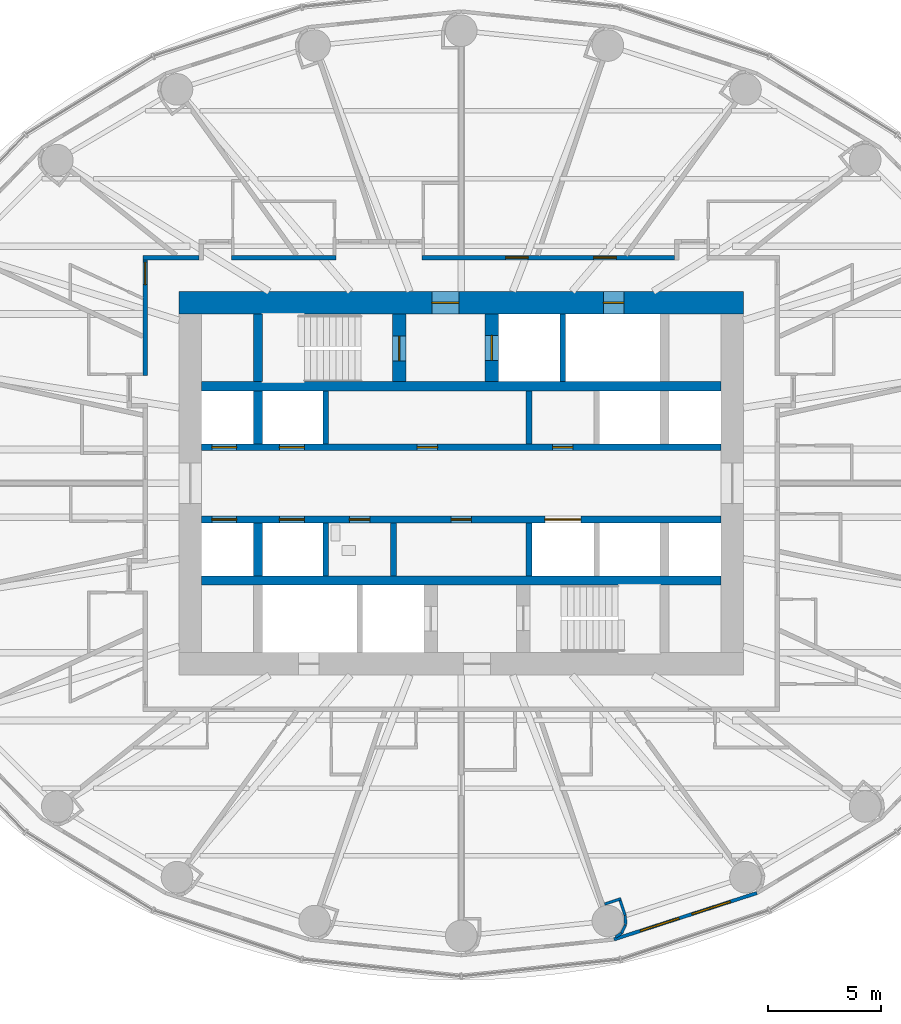
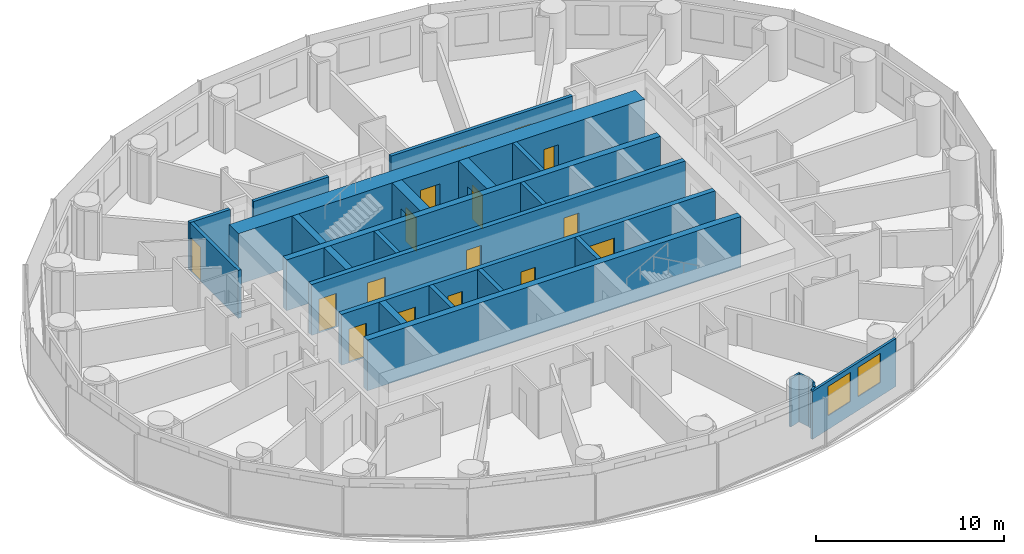
# One storey, part 9 of 16: 26 walls, 16 doors, 2 windows, 18 openings.
"""IFC4 building model written with IfcOpenShell, lengths in metres."""

from ifc_helpers import new_model, si_unit, direction, frame, frame_2d, origin, place, context, subcontext, project, spatial, rectangle, extrude, material, layer, layer_set, type_object, element, fill, save


model = new_model("IFC4")

# Units and contexts
model_context = context("Model", 3, precision=1e-05, world=origin(), true_north=direction((0.0, 1.0)))
body_context = subcontext(model_context, "Body", "Model", "MODEL_VIEW")
ifc_project = project(units=[si_unit("LENGTHUNIT", "METRE"), si_unit("AREAUNIT", "SQUARE_METRE"), si_unit("VOLUMEUNIT", "CUBIC_METRE"), si_unit("PLANEANGLEUNIT", "RADIAN"), si_unit("MASSUNIT", "GRAM", prefix="KILO")], contexts=[model_context])

# Site, building, storey
site_placement = place(None, origin())
site = spatial("IfcSite", under=ifc_project, at=site_placement, CompositionType="ELEMENT")
building_placement = place(site_placement, origin())
building = spatial("IfcBuilding", under=site, at=building_placement, Name="Hankou Lantern Tower", CompositionType="ELEMENT")
storey_placement = place(building_placement, frame((0.0, 0.0, 73.800048828125)))
storey = spatial("IfcBuildingStorey", under=building, at=storey_placement, Name="L18", CompositionType="ELEMENT", Elevation=73.800048828125)

# Wall, openings, doors
ifc_material_1 = material(Name="Concrete C60", Category="concrete")
ifc_layer_1 = layer(ifc_material_1, 1.0)
ifc_layer_set_1 = layer_set([ifc_layer_1], Name="Concrete C60")
wall_type_1 = type_object("IfcWallType", Name="CW1 CORE WALL 1000", PredefinedType="SHEAR", material=ifc_layer_set_1)
wall_1_placement = place(storey_placement, frame((-12.5, 8.0, 0.0), z_axis=(0.0, 0.0, 1.0), x_axis=(1.0, 0.0, 0.0)))
wall_1 = element("IfcWall", 1, at=wall_1_placement, inside=storey, type_object=wall_type_1, Name="Core wall north L18", PredefinedType="SHEAR", context=body_context, shape_type="SweptSolid", body=[
    extrude(rectangle(XDim=25.0, YDim=1.0, at=frame_2d((12.5, 0.0))), origin(), (0.0, 0.0, 1.0), 3.300048828125),
])
opening_1_placement = place(wall_1_placement, frame((11.199951171875, 0.0, 0.0)))
opening_1 = element("IfcOpeningElement", 2, at=opening_1_placement, cuts=wall_1, Name="Opening D5", PredefinedType="OPENING", context=body_context, shape_type="SweptSolid", body=[
    extrude(rectangle(XDim=1.199951171875, YDim=2.199951171875, at=frame_2d((0.60009765625, 1.10009765625))), frame((0.0, 0.510009765625, 0.0), z_axis=(0.0, -1.0, 0.0), x_axis=(1.0, 0.0, 0.0)), (0.0, 0.0, 1.0), 1.02001953125),
])
opening_2_placement = place(wall_1_placement, frame((18.800048828125, 0.0, 0.0)))
opening_2 = element("IfcOpeningElement", 3, at=opening_2_placement, cuts=wall_1, Name="Opening D7", PredefinedType="OPENING", context=body_context, shape_type="SweptSolid", body=[
    extrude(rectangle(XDim=0.89990234375, YDim=2.199951171875, at=frame_2d((0.449951171875, 1.10009765625))), frame((0.0, 0.510009765625, 0.0), z_axis=(0.0, -1.0, 0.0), x_axis=(1.0, 0.0, 0.0)), (0.0, 0.0, 1.0), 1.02001953125),
])
ifc_material_2 = material(Name="Steel door leaf", Category="steel")
door_type_1 = type_object("IfcDoorType", Name="D5 STAIR LOBBY DOOR 1200X2200", OperationType="SINGLE_SWING_LEFT", PredefinedType="DOOR", material=ifc_material_2)
door_1_placement = place(opening_1_placement, origin())
door_1 = element("IfcDoor", 4, at=door_1_placement, inside=storey, type_object=door_type_1, Name="Stair A lobby door", OperationType="SINGLE_SWING_LEFT", OverallHeight=2.199951171875, OverallWidth=1.199951171875, PredefinedType="DOOR", context=body_context, shape_type="SweptSolid", body=[
    extrude(rectangle(XDim=1.199951171875, YDim=2.199951171875, at=frame_2d((0.60009765625, 1.10009765625))), frame((0.0, 0.02490234375, 0.0), z_axis=(0.0, -1.0, 0.0), x_axis=(1.0, 0.0, 0.0)), (0.0, 0.0, 1.0), 0.050048828125),
])
fill(opening_1, door_1)
ifc_material_3 = material(Name="Steel door leaf", Category="steel")
door_type_2 = type_object("IfcDoorType", Name="D7 RISER DOOR 900X2200", OperationType="SINGLE_SWING_LEFT", PredefinedType="DOOR", material=ifc_material_3)
door_2_placement = place(opening_2_placement, origin())
door_2 = element("IfcDoor", 5, at=door_2_placement, inside=storey, type_object=door_type_2, Name="Riser N1 door", OperationType="SINGLE_SWING_RIGHT", OverallHeight=2.199951171875, OverallWidth=0.89990234375, PredefinedType="DOOR", context=body_context, shape_type="SweptSolid", body=[
    extrude(rectangle(XDim=0.89990234375, YDim=2.199951171875, at=frame_2d((0.449951171875, 1.10009765625))), frame((0.0, 0.02490234375, 0.0), z_axis=(0.0, -1.0, 0.0), x_axis=(1.0, 0.0, 0.0)), (0.0, 0.0, 1.0), 0.050048828125),
])
fill(opening_2, door_2)

# Walls
ifc_material_4 = material(Name="Concrete C60", Category="concrete")
ifc_layer_2 = layer(ifc_material_4, 0.39990234375)
ifc_layer_set_2 = layer_set([ifc_layer_2], Name="Concrete C60")
wall_type_2 = type_object("IfcWallType", Name="CW4 CORE CROSS WALL 400", PredefinedType="SHEAR", material=ifc_layer_set_2)
for number, where, z_axis, x_axis, name in (
    (6, (-11.5, 4.300048828125, 0.0), (0.0, 0.0, 1.0), (1.0, 0.0, 0.0), "Core band wall north L18"),
    (7, (-11.5, -4.300048828125, 0.0), (0.0, 0.0, 1.0), (1.0, 0.0, 0.0), "Core band wall south L18"),
):
    element("IfcWall", number, at=place(storey_placement, frame(where, z_axis=z_axis, x_axis=x_axis)), inside=storey, type_object=wall_type_2, Name=name, PredefinedType="SHEAR", context=body_context, shape_type="SweptSolid", body=[
        extrude(rectangle(XDim=23.0, YDim=0.39990234375, at=frame_2d((11.5, 0.0))), origin(), (0.0, 0.0, 1.0), 3.300048828125),
    ])
wall_2_placement = place(storey_placement, frame((-9.0, 4.5, 0.0), z_axis=(0.0, 0.0, 1.0), x_axis=(0.0, 1.0, 0.0)))
element("IfcWall", 8, at=wall_2_placement, inside=storey, type_object=wall_type_2, Name="Core strip wall L18", PredefinedType="SHEAR", context=body_context, shape_type="SweptSolid", body=[
    extrude(rectangle(XDim=3.0, YDim=0.39990234375, at=frame_2d((1.5, 0.0))), origin(), (0.0, 0.0, 1.0), 3.300048828125),
])
for number, where, z_axis, x_axis, name in (
    (9, (-9.0, 1.75, 0.0), (0.0, 0.0, 1.0), (0.0, 1.0, 0.0), "Core strip wall L18"),
    (10, (-9.0, -4.10009765625, 0.0), (0.0, 0.0, 1.0), (0.0, 1.0, 0.0), "Core strip wall L18"),
):
    element("IfcWall", number, at=place(storey_placement, frame(where, z_axis=z_axis, x_axis=x_axis)), inside=storey, type_object=wall_type_2, Name=name, PredefinedType="SHEAR", context=body_context, shape_type="SweptSolid", body=[
        extrude(rectangle(XDim=2.35009765625, YDim=0.39990234375, at=frame_2d((1.175048828125, 0.0))), origin(), (0.0, 0.0, 1.0), 3.300048828125),
    ])

# Wall, openings, doors
ifc_material_5 = material(Name="Concrete C60", Category="concrete")
ifc_layer_3 = layer(ifc_material_5, 0.300048828125)
ifc_layer_set_3 = layer_set([ifc_layer_3], Name="Concrete C60")
wall_type_3 = type_object("IfcWallType", Name="CW5 LIFT LOBBY WALL 300", PredefinedType="SHEAR", material=ifc_layer_set_3)
wall_3_placement = place(storey_placement, frame((-11.5, 1.60009765625, 0.0), z_axis=(0.0, 0.0, 1.0), x_axis=(1.0, 0.0, 0.0)))
wall_3 = element("IfcWall", 11, at=wall_3_placement, inside=storey, type_object=wall_type_3, Name="Lift lobby wall north L18", PredefinedType="SHEAR", context=body_context, shape_type="SweptSolid", body=[
    extrude(rectangle(XDim=23.0, YDim=0.300048828125, at=frame_2d((11.5, 0.0))), origin(), (0.0, 0.0, 1.0), 3.300048828125),
])
opening_3_placement = place(wall_3_placement, frame((0.449951171875, 0.0, 0.0)))
opening_3 = element("IfcOpeningElement", 12, at=opening_3_placement, cuts=wall_3, Name="Opening LD1", PredefinedType="OPENING", context=body_context, shape_type="SweptSolid", body=[
    extrude(rectangle(XDim=1.10009765625, YDim=2.199951171875, at=frame_2d((0.550048828125, 1.10009765625))), frame((0.0, 0.159912109375, 0.0), z_axis=(0.0, -1.0, 0.0), x_axis=(1.0, 0.0, 0.0)), (0.0, 0.0, 1.0), 0.320068359375),
])
opening_4_placement = place(wall_3_placement, frame((3.449951171875, 0.0, 0.0)))
opening_4 = element("IfcOpeningElement", 13, at=opening_4_placement, cuts=wall_3, Name="Opening LD1", PredefinedType="OPENING", context=body_context, shape_type="SweptSolid", body=[
    extrude(rectangle(XDim=1.10009765625, YDim=2.199951171875, at=frame_2d((0.550048828125, 1.10009765625))), frame((0.0, 0.159912109375, 0.0), z_axis=(0.0, -1.0, 0.0), x_axis=(1.0, 0.0, 0.0)), (0.0, 0.0, 1.0), 0.320068359375),
])
opening_5_placement = place(wall_3_placement, frame((9.550048828125, 0.0, 0.0)))
opening_5 = element("IfcOpeningElement", 14, at=opening_5_placement, cuts=wall_3, Name="Opening D30", PredefinedType="OPENING", context=body_context, shape_type="SweptSolid", body=[
    extrude(rectangle(XDim=0.89990234375, YDim=2.199951171875, at=frame_2d((0.449951171875, 1.10009765625))), frame((0.0, 0.159912109375, 0.0), z_axis=(0.0, -1.0, 0.0), x_axis=(1.0, 0.0, 0.0)), (0.0, 0.0, 1.0), 0.320068359375),
])
opening_6_placement = place(wall_3_placement, frame((15.550048828125, 0.0, 0.0)))
opening_6 = element("IfcOpeningElement", 15, at=opening_6_placement, cuts=wall_3, Name="Opening D30", PredefinedType="OPENING", context=body_context, shape_type="SweptSolid", body=[
    extrude(rectangle(XDim=0.89990234375, YDim=2.199951171875, at=frame_2d((0.449951171875, 1.10009765625))), frame((0.0, 0.159912109375, 0.0), z_axis=(0.0, -1.0, 0.0), x_axis=(1.0, 0.0, 0.0)), (0.0, 0.0, 1.0), 0.320068359375),
])
ifc_material_6 = material(Name="Steel door leaf", Category="steel")
door_type_3 = type_object("IfcDoorType", Name="D30 CORE ROOM DOOR 900X2200", OperationType="SINGLE_SWING_LEFT", PredefinedType="DOOR", material=ifc_material_6)
door_3_placement = place(opening_5_placement, origin())
door_3 = element("IfcDoor", 16, at=door_3_placement, inside=storey, type_object=door_type_3, Name="Vending room door", OperationType="SINGLE_SWING_LEFT", OverallHeight=2.199951171875, OverallWidth=0.89990234375, PredefinedType="DOOR", context=body_context, shape_type="SweptSolid", body=[
    extrude(rectangle(XDim=0.89990234375, YDim=2.199951171875, at=frame_2d((0.449951171875, 1.10009765625))), frame((0.0, 0.02490234375, 0.0), z_axis=(0.0, -1.0, 0.0), x_axis=(1.0, 0.0, 0.0)), (0.0, 0.0, 1.0), 0.050048828125),
])
fill(opening_5, door_3)
door_4_placement = place(opening_6_placement, origin())
door_4 = element("IfcDoor", 17, at=door_4_placement, inside=storey, type_object=door_type_3, Name="Room service pantry door", OperationType="SINGLE_SWING_RIGHT", OverallHeight=2.199951171875, OverallWidth=0.89990234375, PredefinedType="DOOR", context=body_context, shape_type="SweptSolid", body=[
    extrude(rectangle(XDim=0.89990234375, YDim=2.199951171875, at=frame_2d((0.449951171875, 1.10009765625))), frame((0.0, 0.02490234375, 0.0), z_axis=(0.0, -1.0, 0.0), x_axis=(1.0, 0.0, 0.0)), (0.0, 0.0, 1.0), 0.050048828125),
])
fill(opening_6, door_4)
ifc_material_7 = material(Name="Steel door leaf", Category="steel")
door_type_4 = type_object("IfcDoorType", Name="LD1 LIFT LANDING DOOR 1100X2200", OperationType="DOUBLE_DOOR_SLIDING", PredefinedType="DOOR", material=ifc_material_7)
door_5_placement = place(opening_3_placement, origin())
door_5 = element("IfcDoor", 18, at=door_5_placement, inside=storey, type_object=door_type_4, Name="Lift L1 landing door", OperationType="DOUBLE_DOOR_SLIDING", OverallHeight=2.199951171875, OverallWidth=1.10009765625, PredefinedType="DOOR", context=body_context, shape_type="SweptSolid", body=[
    extrude(rectangle(XDim=1.10009765625, YDim=2.199951171875, at=frame_2d((0.550048828125, 1.10009765625))), frame((0.0, 0.02490234375, 0.0), z_axis=(0.0, -1.0, 0.0), x_axis=(1.0, 0.0, 0.0)), (0.0, 0.0, 1.0), 0.050048828125),
])
fill(opening_3, door_5)
door_6_placement = place(opening_4_placement, origin())
door_6 = element("IfcDoor", 19, at=door_6_placement, inside=storey, type_object=door_type_4, Name="Lift L2 landing door", OperationType="DOUBLE_DOOR_SLIDING", OverallHeight=2.199951171875, OverallWidth=1.10009765625, PredefinedType="DOOR", context=body_context, shape_type="SweptSolid", body=[
    extrude(rectangle(XDim=1.10009765625, YDim=2.199951171875, at=frame_2d((0.550048828125, 1.10009765625))), frame((0.0, 0.02490234375, 0.0), z_axis=(0.0, -1.0, 0.0), x_axis=(1.0, 0.0, 0.0)), (0.0, 0.0, 1.0), 0.050048828125),
])
fill(opening_4, door_6)

wall_4_placement = place(storey_placement, frame((-11.5, -1.60009765625, 0.0), z_axis=(0.0, 0.0, 1.0), x_axis=(1.0, 0.0, 0.0)))
wall_4 = element("IfcWall", 20, at=wall_4_placement, inside=storey, type_object=wall_type_3, Name="Lift lobby wall south L18", PredefinedType="SHEAR", context=body_context, shape_type="SweptSolid", body=[
    extrude(rectangle(XDim=23.0, YDim=0.300048828125, at=frame_2d((11.5, 0.0))), origin(), (0.0, 0.0, 1.0), 3.300048828125),
])
opening_7_placement = place(wall_4_placement, frame((0.449951171875, 0.0, 0.0)))
opening_7 = element("IfcOpeningElement", 21, at=opening_7_placement, cuts=wall_4, Name="Opening LD1", PredefinedType="OPENING", context=body_context, shape_type="SweptSolid", body=[
    extrude(rectangle(XDim=1.10009765625, YDim=2.199951171875, at=frame_2d((0.550048828125, 1.10009765625))), frame((0.0, 0.159912109375, 0.0), z_axis=(0.0, -1.0, 0.0), x_axis=(1.0, 0.0, 0.0)), (0.0, 0.0, 1.0), 0.320068359375),
])
opening_8_placement = place(wall_4_placement, frame((3.449951171875, 0.0, 0.0)))
opening_8 = element("IfcOpeningElement", 22, at=opening_8_placement, cuts=wall_4, Name="Opening LD1", PredefinedType="OPENING", context=body_context, shape_type="SweptSolid", body=[
    extrude(rectangle(XDim=1.10009765625, YDim=2.199951171875, at=frame_2d((0.550048828125, 1.10009765625))), frame((0.0, 0.159912109375, 0.0), z_axis=(0.0, -1.0, 0.0), x_axis=(1.0, 0.0, 0.0)), (0.0, 0.0, 1.0), 0.320068359375),
])
opening_9_placement = place(wall_4_placement, frame((15.199951171875, 0.0, 0.0)))
opening_9 = element("IfcOpeningElement", 23, at=opening_9_placement, cuts=wall_4, Name="Opening LD4", PredefinedType="OPENING", context=body_context, shape_type="SweptSolid", body=[
    extrude(rectangle(XDim=1.60009765625, YDim=2.39990234375, at=frame_2d((0.800048828125, 1.199951171875))), frame((0.0, 0.159912109375, 0.0), z_axis=(0.0, -1.0, 0.0), x_axis=(1.0, 0.0, 0.0)), (0.0, 0.0, 1.0), 0.320068359375),
])
opening_10_placement = place(wall_4_placement, frame((6.550048828125, 0.0, 0.0)))
opening_10 = element("IfcOpeningElement", 24, at=opening_10_placement, cuts=wall_4, Name="Opening D30", PredefinedType="OPENING", context=body_context, shape_type="SweptSolid", body=[
    extrude(rectangle(XDim=0.89990234375, YDim=2.199951171875, at=frame_2d((0.449951171875, 1.10009765625))), frame((0.0, 0.159912109375, 0.0), z_axis=(0.0, -1.0, 0.0), x_axis=(1.0, 0.0, 0.0)), (0.0, 0.0, 1.0), 0.320068359375),
])
opening_11_placement = place(wall_4_placement, frame((11.050048828125, 0.0, 0.0)))
opening_11 = element("IfcOpeningElement", 25, at=opening_11_placement, cuts=wall_4, Name="Opening D30", PredefinedType="OPENING", context=body_context, shape_type="SweptSolid", body=[
    extrude(rectangle(XDim=0.89990234375, YDim=2.199951171875, at=frame_2d((0.449951171875, 1.10009765625))), frame((0.0, 0.159912109375, 0.0), z_axis=(0.0, -1.0, 0.0), x_axis=(1.0, 0.0, 0.0)), (0.0, 0.0, 1.0), 0.320068359375),
])
door_7_placement = place(opening_10_placement, origin())
door_7 = element("IfcDoor", 26, at=door_7_placement, inside=storey, type_object=door_type_3, Name="Accessible staff WC door", OperationType="SINGLE_SWING_LEFT", OverallHeight=2.199951171875, OverallWidth=0.89990234375, PredefinedType="DOOR", context=body_context, shape_type="SweptSolid", body=[
    extrude(rectangle(XDim=0.89990234375, YDim=2.199951171875, at=frame_2d((0.449951171875, 1.10009765625))), frame((0.0, 0.02490234375, 0.0), z_axis=(0.0, -1.0, 0.0), x_axis=(1.0, 0.0, 0.0)), (0.0, 0.0, 1.0), 0.050048828125),
])
fill(opening_10, door_7)
door_8_placement = place(opening_11_placement, origin())
door_8 = element("IfcDoor", 27, at=door_8_placement, inside=storey, type_object=door_type_3, Name="Housekeeping and linen store door", OperationType="SINGLE_SWING_LEFT", OverallHeight=2.199951171875, OverallWidth=0.89990234375, PredefinedType="DOOR", context=body_context, shape_type="SweptSolid", body=[
    extrude(rectangle(XDim=0.89990234375, YDim=2.199951171875, at=frame_2d((0.449951171875, 1.10009765625))), frame((0.0, 0.02490234375, 0.0), z_axis=(0.0, -1.0, 0.0), x_axis=(1.0, 0.0, 0.0)), (0.0, 0.0, 1.0), 0.050048828125),
])
fill(opening_11, door_8)
door_9_placement = place(opening_7_placement, origin())
door_9 = element("IfcDoor", 28, at=door_9_placement, inside=storey, type_object=door_type_4, Name="Lift L3 landing door", OperationType="DOUBLE_DOOR_SLIDING", OverallHeight=2.199951171875, OverallWidth=1.10009765625, PredefinedType="DOOR", context=body_context, shape_type="SweptSolid", body=[
    extrude(rectangle(XDim=1.10009765625, YDim=2.199951171875, at=frame_2d((0.550048828125, 1.10009765625))), frame((0.0, 0.02490234375, 0.0), z_axis=(0.0, -1.0, 0.0), x_axis=(1.0, 0.0, 0.0)), (0.0, 0.0, 1.0), 0.050048828125),
])
fill(opening_7, door_9)
door_10_placement = place(opening_8_placement, origin())
door_10 = element("IfcDoor", 29, at=door_10_placement, inside=storey, type_object=door_type_4, Name="Lift L4 landing door", OperationType="DOUBLE_DOOR_SLIDING", OverallHeight=2.199951171875, OverallWidth=1.10009765625, PredefinedType="DOOR", context=body_context, shape_type="SweptSolid", body=[
    extrude(rectangle(XDim=1.10009765625, YDim=2.199951171875, at=frame_2d((0.550048828125, 1.10009765625))), frame((0.0, 0.02490234375, 0.0), z_axis=(0.0, -1.0, 0.0), x_axis=(1.0, 0.0, 0.0)), (0.0, 0.0, 1.0), 0.050048828125),
])
fill(opening_8, door_10)
ifc_material_8 = material(Name="Steel door leaf", Category="steel")
door_type_5 = type_object("IfcDoorType", Name="LD4 SERVICE LIFT LANDING DOOR 1600X2400", OperationType="DOUBLE_DOOR_SLIDING", PredefinedType="DOOR", material=ifc_material_8)
door_11_placement = place(opening_9_placement, origin())
door_11 = element("IfcDoor", 30, at=door_11_placement, inside=storey, type_object=door_type_5, Name="Lift SV1 landing door", OperationType="DOUBLE_DOOR_SLIDING", OverallHeight=2.39990234375, OverallWidth=1.60009765625, PredefinedType="DOOR", context=body_context, shape_type="SweptSolid", body=[
    extrude(rectangle(XDim=1.60009765625, YDim=2.39990234375, at=frame_2d((0.800048828125, 1.199951171875))), frame((0.0, 0.02490234375, 0.0), z_axis=(0.0, -1.0, 0.0), x_axis=(1.0, 0.0, 0.0)), (0.0, 0.0, 1.0), 0.050048828125),
])
fill(opening_9, door_11)

# Wall, opening, door
ifc_material_9 = material(Name="Concrete C60", Category="concrete")
ifc_layer_4 = layer(ifc_material_9, 0.60009765625)
ifc_layer_set_4 = layer_set([ifc_layer_4], Name="Concrete C60")
wall_type_4 = type_object("IfcWallType", Name="CW6 STAIR AND SHAFT WALL 600", PredefinedType="SHEAR", material=ifc_layer_set_4)
wall_5_placement = place(storey_placement, frame((-2.75, 4.5, 0.0), z_axis=(0.0, 0.0, 1.0), x_axis=(0.0, 1.0, 0.0)))
wall_5 = element("IfcWall", 31, at=wall_5_placement, inside=storey, type_object=wall_type_4, Name="Stair wall L18", PredefinedType="SHEAR", context=body_context, shape_type="SweptSolid", body=[
    extrude(rectangle(XDim=3.0, YDim=0.60009765625, at=frame_2d((1.5, 0.0))), origin(), (0.0, 0.0, 1.0), 3.300048828125),
])
opening_12_placement = place(wall_5_placement, frame((0.925048828125, 0.0, 0.0)))
opening_12 = element("IfcOpeningElement", 32, at=opening_12_placement, cuts=wall_5, Name="Opening D4", PredefinedType="OPENING", context=body_context, shape_type="SweptSolid", body=[
    extrude(rectangle(XDim=1.10009765625, YDim=2.199951171875, at=frame_2d((0.550048828125, 1.10009765625))), frame((0.0, 0.31005859375, 0.0), z_axis=(0.0, -1.0, 0.0), x_axis=(1.0, 0.0, 0.0)), (0.0, 0.0, 1.0), 0.6201171875),
])
ifc_material_10 = material(Name="Steel door leaf", Category="steel")
door_type_6 = type_object("IfcDoorType", Name="D4 STAIR DOOR 1100X2200", OperationType="SINGLE_SWING_LEFT", PredefinedType="DOOR", material=ifc_material_10)
door_12_placement = place(opening_12_placement, origin())
door_12 = element("IfcDoor", 33, at=door_12_placement, inside=storey, type_object=door_type_6, Name="Stair A door", OperationType="SINGLE_SWING_LEFT", OverallHeight=2.199951171875, OverallWidth=1.10009765625, PredefinedType="DOOR", context=body_context, shape_type="SweptSolid", body=[
    extrude(rectangle(XDim=1.10009765625, YDim=2.199951171875, at=frame_2d((0.550048828125, 1.10009765625))), frame((0.0, 0.02490234375, 0.0), z_axis=(0.0, -1.0, 0.0), x_axis=(1.0, 0.0, 0.0)), (0.0, 0.0, 1.0), 0.050048828125),
])
fill(opening_12, door_12)

wall_6_placement = place(storey_placement, frame((1.35009765625, 4.5, 0.0), z_axis=(0.0, 0.0, 1.0), x_axis=(0.0, 1.0, 0.0)))
wall_6 = element("IfcWall", 34, at=wall_6_placement, inside=storey, type_object=wall_type_4, Name="Firefighting lift shaft wall L18", PredefinedType="SHEAR", context=body_context, shape_type="SweptSolid", body=[
    extrude(rectangle(XDim=3.0, YDim=0.60009765625, at=frame_2d((1.5, 0.0))), origin(), (0.0, 0.0, 1.0), 3.300048828125),
])
opening_13_placement = place(wall_6_placement, frame((0.949951171875, 0.0, 0.0)))
opening_13 = element("IfcOpeningElement", 35, at=opening_13_placement, cuts=wall_6, Name="Opening LD2", PredefinedType="OPENING", context=body_context, shape_type="SweptSolid", body=[
    extrude(rectangle(XDim=1.10009765625, YDim=2.199951171875, at=frame_2d((0.550048828125, 1.10009765625))), frame((0.0, 0.31005859375, 0.0), z_axis=(0.0, -1.0, 0.0), x_axis=(1.0, 0.0, 0.0)), (0.0, 0.0, 1.0), 0.6201171875),
])
ifc_material_11 = material(Name="Steel door leaf", Category="steel")
door_type_7 = type_object("IfcDoorType", Name="LD2 FIREFIGHTING LIFT LANDING DOOR 1100X2200", OperationType="DOUBLE_DOOR_SLIDING", PredefinedType="DOOR", material=ifc_material_11)
door_13_placement = place(opening_13_placement, origin())
door_13 = element("IfcDoor", 36, at=door_13_placement, inside=storey, type_object=door_type_7, Name="Firefighting lift FL1 landing door", OperationType="DOUBLE_DOOR_SLIDING", OverallHeight=2.199951171875, OverallWidth=1.10009765625, PredefinedType="DOOR", context=body_context, shape_type="SweptSolid", body=[
    extrude(rectangle(XDim=1.10009765625, YDim=2.199951171875, at=frame_2d((0.550048828125, 1.10009765625))), frame((0.0, 0.02490234375, 0.0), z_axis=(0.0, -1.0, 0.0), x_axis=(1.0, 0.0, 0.0)), (0.0, 0.0, 1.0), 0.050048828125),
])
fill(opening_13, door_13)

# Wall, openings, windows
ifc_material_12 = material(Name="Aluminium spandrel panel on steel studs", Category="steel")
ifc_layer_5 = layer(ifc_material_12, 0.14990234375)
ifc_layer_set_5 = layer_set([ifc_layer_5], Name="Aluminium spandrel panel on steel studs")
wall_type_5 = type_object("IfcWallType", Name="EW1 INNER SKIN WALL 150", PredefinedType="ELEMENTEDWALL", material=ifc_layer_set_5)
wall_7_placement = place(storey_placement, frame((6.766357421875, -20.201904296875, 0.0), z_axis=(0.0, 0.0, 1.0), x_axis=(0.951137534625, 0.308767534285, 0.0)))
wall_7 = element("IfcWall", 37, at=wall_7_placement, inside=storey, type_object=wall_type_5, Name="Inner skin R20-R21 L18", PredefinedType="ELEMENTEDWALL", context=body_context, shape_type="SweptSolid", body=[
    extrude(rectangle(XDim=6.6552734375, YDim=0.14990234375, at=frame_2d((3.32763671875, 0.0))), origin(), (0.0, 0.0, 1.0), 3.119873046875),
])
opening_14_placement = place(wall_7_placement, frame((1.2275390625, 0.0, 0.89990234375)))
opening_14 = element("IfcOpeningElement", 38, at=opening_14_placement, cuts=wall_7, Name="Opening W1", PredefinedType="OPENING", context=body_context, shape_type="SweptSolid", body=[
    extrude(rectangle(XDim=1.800048828125, YDim=1.89990234375, at=frame_2d((0.89990234375, 0.949951171875))), frame((0.0, 0.0849609375, 0.0), z_axis=(0.0, -1.0, 0.0), x_axis=(1.0, 0.0, 0.0)), (0.0, 0.0, 1.0), 0.169921875),
])
opening_15_placement = place(wall_7_placement, frame((3.627685546875, 0.0, 0.89990234375)))
opening_15 = element("IfcOpeningElement", 39, at=opening_15_placement, cuts=wall_7, Name="Opening W1", PredefinedType="OPENING", context=body_context, shape_type="SweptSolid", body=[
    extrude(rectangle(XDim=1.800048828125, YDim=1.89990234375, at=frame_2d((0.89990234375, 0.949951171875))), frame((0.0, 0.0849609375, 0.0), z_axis=(0.0, -1.0, 0.0), x_axis=(1.0, 0.0, 0.0)), (0.0, 0.0, 1.0), 0.169921875),
])
ifc_material_13 = material(Name="Aluminium framed double glazed window", Category="aluminium")
window_type = type_object("IfcWindowType", Name="W1 GUEST ROOM WINDOW 1800X1900", PartitioningType="DOUBLE_PANEL_VERTICAL", PredefinedType="WINDOW", material=ifc_material_13)
window_1_placement = place(opening_14_placement, origin())
window_1 = element("IfcWindow", 40, at=window_1_placement, inside=storey, type_object=window_type, Name="Window R20.1 L18", OverallHeight=1.89990234375, OverallWidth=1.800048828125, PartitioningType="SINGLE_PANEL", PredefinedType="WINDOW", context=body_context, shape_type="SweptSolid", body=[
    extrude(rectangle(XDim=1.800048828125, YDim=1.89990234375, at=frame_2d((0.89990234375, 0.949951171875))), frame((0.0, 0.030029296875, 0.0), z_axis=(0.0, -1.0, 0.0), x_axis=(1.0, 0.0, 0.0)), (0.0, 0.0, 1.0), 0.06005859375),
])
fill(opening_14, window_1)
window_2_placement = place(opening_15_placement, origin())
window_2 = element("IfcWindow", 41, at=window_2_placement, inside=storey, type_object=window_type, Name="Window R20.2 L18", OverallHeight=1.89990234375, OverallWidth=1.800048828125, PartitioningType="SINGLE_PANEL", PredefinedType="WINDOW", context=body_context, shape_type="SweptSolid", body=[
    extrude(rectangle(XDim=1.800048828125, YDim=1.89990234375, at=frame_2d((0.89990234375, 0.949951171875))), frame((0.0, 0.030029296875, 0.0), z_axis=(0.0, -1.0, 0.0), x_axis=(1.0, 0.0, 0.0)), (0.0, 0.0, 1.0), 0.06005859375),
])
fill(opening_15, window_2)

# Walls
ifc_material_14 = material(Name="Masonry lightweight concrete block", Category="masonry")
ifc_layer_6 = layer(ifc_material_14, 0.199951171875)
ifc_layer_set_6 = layer_set([ifc_layer_6], Name="Masonry lightweight concrete block")
wall_type_6 = type_object("IfcWallType", Name="IW2 CORRIDOR WALL 200", PredefinedType="PARTITIONING", material=ifc_layer_set_6)
wall_8_placement = place(storey_placement, frame((-14.10009765625, 10.0, 0.0), z_axis=(0.0, 0.0, 1.0), x_axis=(1.0, 0.0, 0.0)))
element("IfcWall", 42, at=wall_8_placement, inside=storey, type_object=wall_type_6, Name="Corridor wall north", PredefinedType="PARTITIONING", context=body_context, shape_type="SweptSolid", body=[
    extrude(rectangle(XDim=2.48095703125, YDim=0.199951171875, at=frame_2d((1.240478515625, 0.0))), origin(), (0.0, 0.0, 1.0), 3.119873046875),
])
wall_9_placement = place(storey_placement, frame((-10.178955078125, 10.0, 0.0), z_axis=(0.0, 0.0, 1.0), x_axis=(1.0, 0.0, 0.0)))
element("IfcWall", 43, at=wall_9_placement, inside=storey, type_object=wall_type_6, Name="Corridor wall north", PredefinedType="PARTITIONING", context=body_context, shape_type="SweptSolid", body=[
    extrude(rectangle(XDim=4.6298828125, YDim=0.199951171875, at=frame_2d((2.31494140625, 0.0))), origin(), (0.0, 0.0, 1.0), 3.119873046875),
])

# Wall, openings, doors
wall_10_placement = place(storey_placement, frame((-1.739990234375, 10.0, 0.0), z_axis=(0.0, 0.0, 1.0), x_axis=(1.0, 0.0, 0.0)))
wall_10 = element("IfcWall", 44, at=wall_10_placement, inside=storey, type_object=wall_type_6, Name="Corridor wall north", PredefinedType="PARTITIONING", context=body_context, shape_type="SweptSolid", body=[
    extrude(rectangle(XDim=11.18505859375, YDim=0.199951171875, at=frame_2d((5.592529296875, 0.0))), origin(), (0.0, 0.0, 1.0), 3.119873046875),
])
opening_16_placement = place(wall_10_placement, frame((7.609130859375, 0.0, 0.0)))
opening_16 = element("IfcOpeningElement", 45, at=opening_16_placement, cuts=wall_10, Name="Opening D28", PredefinedType="OPENING", context=body_context, shape_type="SweptSolid", body=[
    extrude(rectangle(XDim=1.0, YDim=2.199951171875, at=frame_2d((0.5, 1.10009765625))), frame((0.0, 0.10986328125, 0.0), z_axis=(0.0, -1.0, 0.0), x_axis=(1.0, 0.0, 0.0)), (0.0, 0.0, 1.0), 0.219970703125),
])
opening_17_placement = place(wall_10_placement, frame((3.702880859375, 0.0, 0.0)))
opening_17 = element("IfcOpeningElement", 46, at=opening_17_placement, cuts=wall_10, Name="Opening D28", PredefinedType="OPENING", context=body_context, shape_type="SweptSolid", body=[
    extrude(rectangle(XDim=1.0, YDim=2.199951171875, at=frame_2d((0.5, 1.10009765625))), frame((0.0, 0.10986328125, 0.0), z_axis=(0.0, -1.0, 0.0), x_axis=(1.0, 0.0, 0.0)), (0.0, 0.0, 1.0), 0.219970703125),
])
ifc_material_15 = material(Name="Steel door leaf", Category="steel")
door_type_8 = type_object("IfcDoorType", Name="D28 SERVICE DOOR 1000X2200", OperationType="SINGLE_SWING_LEFT", PredefinedType="DOOR", material=ifc_material_15)
door_14_placement = place(opening_16_placement, origin())
door_14 = element("IfcDoor", 47, at=door_14_placement, inside=storey, type_object=door_type_8, Name="Service door 1810", OperationType="SINGLE_SWING_RIGHT", OverallHeight=2.199951171875, OverallWidth=1.0, PredefinedType="DOOR", context=body_context, shape_type="SweptSolid", body=[
    extrude(rectangle(XDim=1.0, YDim=2.199951171875, at=frame_2d((0.5, 1.10009765625))), frame((0.0, 0.02490234375, 0.0), z_axis=(0.0, -1.0, 0.0), x_axis=(1.0, 0.0, 0.0)), (0.0, 0.0, 1.0), 0.050048828125),
])
fill(opening_16, door_14)
door_15_placement = place(opening_17_placement, origin())
door_15 = element("IfcDoor", 48, at=door_15_placement, inside=storey, type_object=door_type_8, Name="Service door 1811", OperationType="SINGLE_SWING_RIGHT", OverallHeight=2.199951171875, OverallWidth=1.0, PredefinedType="DOOR", context=body_context, shape_type="SweptSolid", body=[
    extrude(rectangle(XDim=1.0, YDim=2.199951171875, at=frame_2d((0.5, 1.10009765625))), frame((0.0, 0.02490234375, 0.0), z_axis=(0.0, -1.0, 0.0), x_axis=(1.0, 0.0, 0.0)), (0.0, 0.0, 1.0), 0.050048828125),
])
fill(opening_17, door_15)

# Wall, opening, door
wall_11_placement = place(storey_placement, frame((-14.0, 9.89990234375, 0.0), z_axis=(0.0, 0.0, 1.0), x_axis=(0.0, -1.0, 0.0)))
wall_11 = element("IfcWall", 49, at=wall_11_placement, inside=storey, type_object=wall_type_6, Name="Corridor wall west", PredefinedType="PARTITIONING", context=body_context, shape_type="SweptSolid", body=[
    extrude(rectangle(XDim=5.12744140625, YDim=0.199951171875, at=frame_2d((2.563720703125, 0.0))), origin(), (0.0, 0.0, 1.0), 3.119873046875),
])
opening_18_placement = place(wall_11_placement, frame((0.1025390625, 0.0, 0.0)))
opening_18 = element("IfcOpeningElement", 50, at=opening_18_placement, cuts=wall_11, Name="Opening D1", PredefinedType="OPENING", context=body_context, shape_type="SweptSolid", body=[
    extrude(rectangle(XDim=1.0, YDim=2.199951171875, at=frame_2d((0.5, 1.10009765625))), frame((0.0, 0.10986328125, 0.0), z_axis=(0.0, -1.0, 0.0), x_axis=(1.0, 0.0, 0.0)), (0.0, 0.0, 1.0), 0.219970703125),
])
ifc_material_16 = material(Name="Steel door leaf", Category="steel")
door_type_9 = type_object("IfcDoorType", Name="D1 GUEST ROOM DOOR 1000X2200", OperationType="SINGLE_SWING_LEFT", PredefinedType="DOOR", material=ifc_material_16)
door_16_placement = place(opening_18_placement, origin())
door_16 = element("IfcDoor", 51, at=door_16_placement, inside=storey, type_object=door_type_9, Name="Guest room door 1815", OperationType="SINGLE_SWING_LEFT", OverallHeight=2.199951171875, OverallWidth=1.0, PredefinedType="DOOR", context=body_context, shape_type="SweptSolid", body=[
    extrude(rectangle(XDim=1.0, YDim=2.199951171875, at=frame_2d((0.5, 1.10009765625))), frame((0.0, 0.02490234375, 0.0), z_axis=(0.0, -1.0, 0.0), x_axis=(1.0, 0.0, 0.0)), (0.0, 0.0, 1.0), 0.050048828125),
])
fill(opening_18, door_16)

# Walls
ifc_material_17 = material(Name="Masonry lightweight concrete block", Category="masonry")
ifc_layer_7 = layer(ifc_material_17, 0.1201171875)
ifc_layer_set_7 = layer_set([ifc_layer_7], Name="Masonry lightweight concrete block")
wall_type_7 = type_object("IfcWallType", Name="IW4 PARTITION 120", PredefinedType="PARTITIONING", material=ifc_layer_set_7)
wall_12_placement = place(storey_placement, frame((6.348388671875, -18.638916015625, 0.0), z_axis=(0.0, 0.0, 1.0), x_axis=(0.948268951266, 0.317468102437, 0.0)))
element("IfcWall", 52, at=wall_12_placement, inside=storey, type_object=wall_type_7, Name="Column casing R20 return", PredefinedType="PARTITIONING", context=body_context, shape_type="SweptSolid", body=[
    extrude(rectangle(XDim=0.767578125, YDim=0.1201171875, at=frame_2d((0.3837890625, 0.0))), origin(), (0.0, 0.0, 1.0), 3.119873046875),
])
wall_13_placement = place(storey_placement, frame((7.038330078125, -18.47119140625, 0.0), z_axis=(0.0, 0.0, 1.0), x_axis=(0.317378466199, -0.9482989556, 0.0)))
element("IfcWall", 53, at=wall_13_placement, inside=storey, type_object=wall_type_7, Name="Column casing R20", PredefinedType="PARTITIONING", context=body_context, shape_type="SweptSolid", body=[
    extrude(rectangle(XDim=0.699951171875, YDim=0.1201171875, at=frame_2d((0.35009765625, 0.0))), origin(), (0.0, 0.0, 1.0), 3.119873046875),
])
wall_14_placement = place(storey_placement, frame((7.260498046875, -19.135009765625, 0.0), z_axis=(0.0, 0.0, 1.0), x_axis=(0.0613238046, -0.99811792439, 0.0)))
element("IfcWall", 54, at=wall_14_placement, inside=storey, type_object=wall_type_7, Name="Column casing R20", PredefinedType="PARTITIONING", context=body_context, shape_type="SweptSolid", body=[
    extrude(rectangle(XDim=0.41796875, YDim=0.1201171875, at=frame_2d((0.208984375, 0.0))), origin(), (0.0, 0.0, 1.0), 3.119873046875),
])
wall_15_placement = place(storey_placement, frame((7.2861328125, -19.55224609375, 0.0), z_axis=(0.0, 0.0, 1.0), x_axis=(-0.445810757773, -0.89512723579, 0.0)))
element("IfcWall", 55, at=wall_15_placement, inside=storey, type_object=wall_type_7, Name="Column casing R20", PredefinedType="PARTITIONING", context=body_context, shape_type="SweptSolid", body=[
    extrude(rectangle(XDim=0.417724609375, YDim=0.1201171875, at=frame_2d((0.208984375, 0.0))), origin(), (0.0, 0.0, 1.0), 3.119873046875),
])
wall_16_placement = place(storey_placement, frame((7.099853515625, -19.92626953125, 0.0), z_axis=(0.0, 0.0, 1.0), x_axis=(-0.833488262509, -0.552537162787, 0.0)))
element("IfcWall", 56, at=wall_16_placement, inside=storey, type_object=wall_type_7, Name="Column casing R20", PredefinedType="PARTITIONING", context=body_context, shape_type="SweptSolid", body=[
    extrude(rectangle(XDim=0.312744140625, YDim=0.1201171875, at=frame_2d((0.15625, 0.0))), origin(), (0.0, 0.0, 1.0), 3.119873046875),
])
ifc_material_18 = material(Name="Masonry autoclaved aerated concrete block", Category="masonry")
ifc_layer_8 = layer(ifc_material_18, 0.25)
ifc_layer_set_8 = layer_set([ifc_layer_8], Name="Masonry autoclaved aerated concrete block")
wall_type_8 = type_object("IfcWallType", Name="SW1 SHAFT BLOCK WALL 250", PredefinedType="PARTITIONING", material=ifc_layer_set_8)
wall_17_placement = place(storey_placement, frame((4.5, 4.5, 0.0), z_axis=(0.0, 0.0, 1.0), x_axis=(0.0, 1.0, 0.0)))
element("IfcWall", 57, at=wall_17_placement, inside=storey, type_object=wall_type_8, Name="Riser wall L18", PredefinedType="PARTITIONING", context=body_context, shape_type="SweptSolid", body=[
    extrude(rectangle(XDim=3.0, YDim=0.25, at=frame_2d((1.5, 0.0))), origin(), (0.0, 0.0, 1.0), 3.300048828125),
])
for number, where, z_axis, x_axis, name in (
    (58, (-6.0, 1.75, 0.0), (0.0, 0.0, 1.0), (0.0, 1.0, 0.0), "Lift shaft wall L18"),
    (59, (3.0, 1.75, 0.0), (0.0, 0.0, 1.0), (0.0, 1.0, 0.0), "Lift shaft wall L18"),
    (60, (-6.0, -4.10009765625, 0.0), (0.0, 0.0, 1.0), (0.0, 1.0, 0.0), "Lift shaft wall L18"),
    (61, (-3.0, -4.10009765625, 0.0), (0.0, 0.0, 1.0), (0.0, 1.0, 0.0), "Lift shaft wall L18"),
    (62, (3.0, -4.10009765625, 0.0), (0.0, 0.0, 1.0), (0.0, 1.0, 0.0), "Lift shaft wall L18"),
):
    element("IfcWall", number, at=place(storey_placement, frame(where, z_axis=z_axis, x_axis=x_axis)), inside=storey, type_object=wall_type_8, Name=name, PredefinedType="PARTITIONING", context=body_context, shape_type="SweptSolid", body=[
        extrude(rectangle(XDim=2.35009765625, YDim=0.25, at=frame_2d((1.175048828125, 0.0))), origin(), (0.0, 0.0, 1.0), 3.300048828125),
    ])

save(model, "model.ifc")
